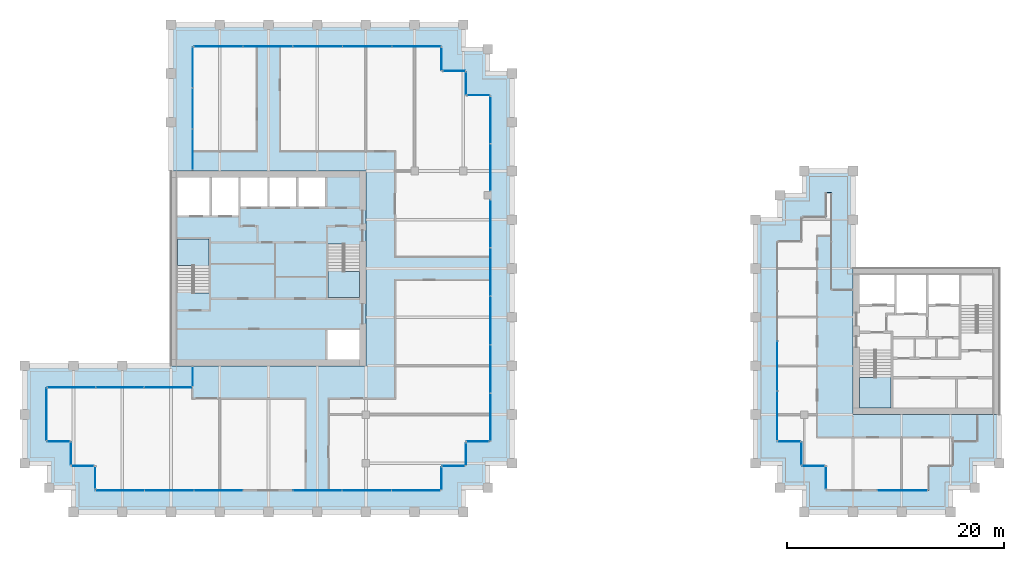
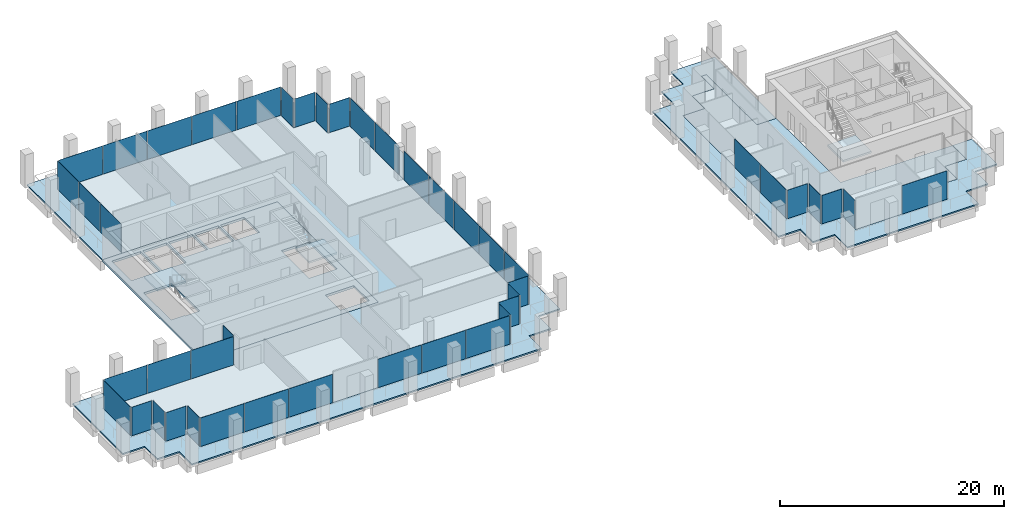
# One storey, part 34 of 40: 45 plates, 8 slabs, 30 elements without a shape of their own.
"""IFC4 building model written with IfcOpenShell, lengths in metres."""

from ifc_helpers import new_model, si_unit, direction, frame, origin, origin_2d, place, context, subcontext, project, spatial, polyline, rectangle, outline, extrude, material, layer, layer_set, type_object, element, aggregate, save


model = new_model("IFC4")

# Units and contexts
model_context = context("Model", 3, precision=1e-05, world=origin(), true_north=direction((0.0, 1.0)))
body_context = subcontext(model_context, "Body", "Model", "MODEL_VIEW")
ifc_project = project(units=[si_unit("LENGTHUNIT", "METRE"), si_unit("AREAUNIT", "SQUARE_METRE"), si_unit("VOLUMEUNIT", "CUBIC_METRE"), si_unit("PLANEANGLEUNIT", "RADIAN"), si_unit("MASSUNIT", "GRAM", prefix="KILO")], contexts=[model_context])

# Site, building, storey
site_placement = place(None, origin())
site = spatial("IfcSite", under=ifc_project, at=site_placement, CompositionType="ELEMENT")
building_placement = place(site_placement, origin())
building = spatial("IfcBuilding", under=site, at=building_placement, Name="Altepetl Exchange Towers", CompositionType="ELEMENT")
storey_placement = place(building_placement, frame((0.0, 0.0, 187.0)))
storey = spatial("IfcBuildingStorey", under=building, at=storey_placement, Name="L47", CompositionType="ELEMENT", Elevation=187.0)

# Slabs
ifc_material_1 = material(Name="Concrete C40/50", Category="concrete")
ifc_layer_1 = layer(ifc_material_1, 0.14990234375)
ifc_layer_set_1 = layer_set([ifc_layer_1], Name="Concrete C40/50")
slab_type_1 = type_object("IfcSlabType", Name="Composite floor slab 150", PredefinedType="FLOOR", material=ifc_layer_set_1)
slab_1_placement = place(storey_placement, frame((0.0, 0.0, -0.14990234375)))
element("IfcSlab", 1, at=slab_1_placement, inside=storey, type_object=slab_type_1, Name="slab:A:L47:strip0", PredefinedType="FLOOR", context=body_context, shape_type="SweptSolid", body=[
    extrude(outline(polyline([(42.5, 70.0), (42.5, 58.5), (58.5, 58.5), (58.5, 40.5), (42.5, 40.5), (42.5, 38.5), (29.0, 38.5), (29.0, 33.5), (31.25, 33.5), (31.25, 31.25), (33.5, 31.25), (33.5, 29.0), (65.5, 29.0), (65.5, 31.25), (67.75, 31.25), (67.75, 33.5), (70.0, 33.5), (70.0, 65.5), (67.75, 65.5), (67.75, 67.75), (65.5, 67.75), (65.5, 70.0), (42.5, 70.0)])), origin(), (0.0, 0.0, 1.0), 0.14990234375),
])
slab_2_placement = place(storey_placement, frame((0.0, 0.0, -0.14990234375)))
element("IfcSlab", 2, at=slab_2_placement, inside=storey, type_object=slab_type_1, Name="slab:B:L47:strip0", PredefinedType="FLOOR", context=body_context, shape_type="SweptSolid", body=[
    extrude(outline(polyline([(98.75, 31.25), (101.0, 31.25), (101.0, 29.0), (110.5, 29.0), (110.5, 31.25), (112.75, 31.25), (112.75, 33.5), (115.0, 33.5), (115.0, 36.0), (103.5, 36.0), (103.5, 47.5), (101.5, 47.5), (101.5, 56.5), (101.0, 56.5), (101.0, 54.25), (98.75, 54.25), (98.75, 52.0), (96.5, 52.0), (96.5, 33.5), (98.75, 33.5), (98.75, 31.25)])), origin(), (0.0, 0.0, 1.0), 0.14990234375),
])
ifc_layer_2 = layer(ifc_material_1, 0.25)
ifc_layer_set_2 = layer_set([ifc_layer_2], Name="Concrete C40/50")
slab_type_2 = type_object("IfcSlabType", Name="Core floor slab 250", PredefinedType="FLOOR", material=ifc_layer_set_2)
slab_3_placement = place(storey_placement, frame((0.0, 0.0, -0.25)))
element("IfcSlab", 3, at=slab_3_placement, inside=storey, type_object=slab_type_2, Name="slab:A:L47:core0", PredefinedType="FLOOR", context=body_context, shape_type="SweptSolid", body=[
    extrude(outline(polyline([(40.5, 40.5), (58.5, 40.5), (58.5, 58.5), (40.5, 58.5), (40.5, 40.5)]), holes=[polyline([(54.93310546875, 43.800048828125), (57.89990234375, 43.800048828125), (57.89990234375, 41.10009765625), (54.93310546875, 41.10009765625), (54.93310546875, 43.800048828125)]), polyline([(55.0, 51.7490234375), (56.5, 51.7490234375), (56.5, 51.64990234375), (57.89990234375, 51.64990234375), (57.89990234375, 46.800048828125), (55.0, 46.800048828125), (55.0, 51.7490234375)]), polyline([(44.0, 47.2509765625), (42.5, 47.2509765625), (42.5, 47.35009765625), (41.10009765625, 47.35009765625), (41.10009765625, 52.199951171875), (44.0, 52.199951171875), (44.0, 47.2509765625)]), polyline([(41.10009765625, 57.89990234375), (44.06689453125, 57.89990234375), (44.06689453125, 54.39990234375), (41.10009765625, 54.39990234375), (41.10009765625, 57.89990234375)]), polyline([(44.26708984375, 57.89990234375), (46.73291015625, 57.89990234375), (46.73291015625, 54.39990234375), (44.26708984375, 54.39990234375), (44.26708984375, 57.89990234375)]), polyline([(46.93310546875, 57.89990234375), (49.39990234375, 57.89990234375), (49.39990234375, 55.199951171875), (46.93310546875, 55.199951171875), (46.93310546875, 57.89990234375)]), polyline([(49.60009765625, 57.89990234375), (52.06689453125, 57.89990234375), (52.06689453125, 55.199951171875), (49.60009765625, 55.199951171875), (49.60009765625, 57.89990234375)]), polyline([(52.26708984375, 57.89990234375), (54.73291015625, 57.89990234375), (54.73291015625, 55.199951171875), (52.26708984375, 55.199951171875), (52.26708984375, 57.89990234375)])]), origin(), (0.0, 0.0, 1.0), 0.25),
])

# Curtain wall, plate
ifc_material_2 = material(Name="Aluminium 6063-T6 glazing", Category="aluminium")
curtain_wall_type = type_object("IfcCurtainWallType", Name="Loggia glazing system", PredefinedType="NOTDEFINED", material=ifc_material_2)
curtain_wall_1_placement = place(storey_placement, origin())
curtain_wall_1 = element("IfcCurtainWall", 4, at=curtain_wall_1_placement, inside=storey, type_object=curtain_wall_type, Name="CW1 run", PredefinedType="NOTDEFINED")
ifc_material_3 = material(Name="Glass 6-16-6 low emissivity", Category="glass")
ifc_layer_3 = layer(ifc_material_3, 0.028076171875)
ifc_layer_set_3 = layer_set([ifc_layer_3], Name="Glass 6-16-6 low emissivity")
plate_type = type_object("IfcPlateType", Name="Glass panel 28 double glazed", PredefinedType="CURTAIN_PANEL", material=ifc_layer_set_3)
plate_1_placement = place(storey_placement, frame((42.5, 39.53759765625, 0.0), z_axis=(0.0, 0.0, 1.0), x_axis=(0.0, -1.0, 0.0)))
plate_1 = element("IfcPlate", 5, at=plate_1_placement, type_object=plate_type, Name="GP1 panel", PredefinedType="CURTAIN_PANEL", context=body_context, shape_type="SweptSolid", body=[
    extrude(rectangle(XDim=1.804931640625, YDim=0.028076171875, at=origin_2d()), origin(), (0.0, 0.0, 1.0), 3.10009765625),
])
aggregate(curtain_wall_1, [plate_1])

# Curtain wall, plates
curtain_wall_2_placement = place(storey_placement, origin())
curtain_wall_2 = element("IfcCurtainWall", 6, at=curtain_wall_2_placement, inside=storey, type_object=curtain_wall_type, Name="CW1 run", PredefinedType="NOTDEFINED")
plate_2_placement = place(storey_placement, frame((40.24755859375, 38.5, 0.0), z_axis=(0.0, 0.0, 1.0), x_axis=(-1.0, 0.0, 0.0)))
plate_2 = element("IfcPlate", 7, at=plate_2_placement, type_object=plate_type, Name="GP1 panel", PredefinedType="CURTAIN_PANEL", context=body_context, shape_type="SweptSolid", body=[
    extrude(rectangle(XDim=4.385009765625, YDim=0.028076171875, at=origin_2d()), origin(), (0.0, 0.0, 1.0), 3.10009765625),
])
plate_3_placement = place(storey_placement, frame((35.78759765625, 38.5, 0.0), z_axis=(0.0, 0.0, 1.0), x_axis=(-1.0, 0.0, 0.0)))
plate_3 = element("IfcPlate", 8, at=plate_3_placement, type_object=plate_type, Name="GP1 panel", PredefinedType="CURTAIN_PANEL", context=body_context, shape_type="SweptSolid", body=[
    extrude(rectangle(XDim=4.4150390625, YDim=0.028076171875, at=origin_2d()), origin(), (0.0, 0.0, 1.0), 3.10009765625),
])
plate_4_placement = place(storey_placement, frame((31.327392578125, 38.5, 0.0), z_axis=(0.0, 0.0, 1.0), x_axis=(-1.0, 0.0, 0.0)))
plate_4 = element("IfcPlate", 9, at=plate_4_placement, type_object=plate_type, Name="GP1 panel", PredefinedType="CURTAIN_PANEL", context=body_context, shape_type="SweptSolid", body=[
    extrude(rectangle(XDim=4.385009765625, YDim=0.028076171875, at=origin_2d()), origin(), (0.0, 0.0, 1.0), 3.10009765625),
])
aggregate(curtain_wall_2, [plate_2, plate_3, plate_4])

# Curtain wall, plate
curtain_wall_3_placement = place(storey_placement, origin())
curtain_wall_3 = element("IfcCurtainWall", 10, at=curtain_wall_3_placement, inside=storey, type_object=curtain_wall_type, Name="CW1 run", PredefinedType="NOTDEFINED")
plate_5_placement = place(storey_placement, frame((29.0, 36.03759765625, 0.0), z_axis=(0.0, 0.0, 1.0), x_axis=(0.0, -1.0, 0.0)))
plate_5 = element("IfcPlate", 11, at=plate_5_placement, type_object=plate_type, Name="GP1 panel", PredefinedType="CURTAIN_PANEL", context=body_context, shape_type="SweptSolid", body=[
    extrude(rectangle(XDim=4.804931640625, YDim=0.028076171875, at=origin_2d()), origin(), (0.0, 0.0, 1.0), 3.10009765625),
])
aggregate(curtain_wall_3, [plate_5])

curtain_wall_4_placement = place(storey_placement, origin())
curtain_wall_4 = element("IfcCurtainWall", 12, at=curtain_wall_4_placement, inside=storey, type_object=curtain_wall_type, Name="CW1 run", PredefinedType="NOTDEFINED")
plate_6_placement = place(storey_placement, frame((30.08740234375, 33.5, 0.0)))
plate_6 = element("IfcPlate", 13, at=plate_6_placement, type_object=plate_type, Name="GP1 panel", PredefinedType="CURTAIN_PANEL", context=body_context, shape_type="SweptSolid", body=[
    extrude(rectangle(XDim=2.054931640625, YDim=0.028076171875, at=origin_2d()), origin(), (0.0, 0.0, 1.0), 3.10009765625),
])
aggregate(curtain_wall_4, [plate_6])

curtain_wall_5_placement = place(storey_placement, origin())
curtain_wall_5 = element("IfcCurtainWall", 14, at=curtain_wall_5_placement, inside=storey, type_object=curtain_wall_type, Name="CW1 run", PredefinedType="NOTDEFINED")
plate_7_placement = place(storey_placement, frame((31.25, 32.41259765625, 0.0), z_axis=(0.0, 0.0, 1.0), x_axis=(0.0, -1.0, 0.0)))
plate_7 = element("IfcPlate", 15, at=plate_7_placement, type_object=plate_type, Name="GP1 panel", PredefinedType="CURTAIN_PANEL", context=body_context, shape_type="SweptSolid", body=[
    extrude(rectangle(XDim=2.054931640625, YDim=0.028076171875, at=origin_2d()), origin(), (0.0, 0.0, 1.0), 3.10009765625),
])
aggregate(curtain_wall_5, [plate_7])

curtain_wall_6_placement = place(storey_placement, origin())
curtain_wall_6 = element("IfcCurtainWall", 16, at=curtain_wall_6_placement, inside=storey, type_object=curtain_wall_type, Name="CW1 run", PredefinedType="NOTDEFINED")
plate_8_placement = place(storey_placement, frame((32.33740234375, 31.25, 0.0)))
plate_8 = element("IfcPlate", 17, at=plate_8_placement, type_object=plate_type, Name="GP1 panel", PredefinedType="CURTAIN_PANEL", context=body_context, shape_type="SweptSolid", body=[
    extrude(rectangle(XDim=2.054931640625, YDim=0.028076171875, at=origin_2d()), origin(), (0.0, 0.0, 1.0), 3.10009765625),
])
aggregate(curtain_wall_6, [plate_8])

curtain_wall_7_placement = place(storey_placement, origin())
curtain_wall_7 = element("IfcCurtainWall", 18, at=curtain_wall_7_placement, inside=storey, type_object=curtain_wall_type, Name="CW1 run", PredefinedType="NOTDEFINED")
plate_9_placement = place(storey_placement, frame((33.5, 30.16259765625, 0.0), z_axis=(0.0, 0.0, 1.0), x_axis=(0.0, -1.0, 0.0)))
plate_9 = element("IfcPlate", 19, at=plate_9_placement, type_object=plate_type, Name="GP1 panel", PredefinedType="CURTAIN_PANEL", context=body_context, shape_type="SweptSolid", body=[
    extrude(rectangle(XDim=2.054931640625, YDim=0.028076171875, at=origin_2d()), origin(), (0.0, 0.0, 1.0), 3.10009765625),
])
aggregate(curtain_wall_7, [plate_9])

# Curtain wall, plates
curtain_wall_8_placement = place(storey_placement, origin())
curtain_wall_8 = element("IfcCurtainWall", 20, at=curtain_wall_8_placement, inside=storey, type_object=curtain_wall_type, Name="CW1 run", PredefinedType="NOTDEFINED")
plate_10_placement = place(storey_placement, frame((35.79541015625, 29.0, 0.0)))
plate_10 = element("IfcPlate", 21, at=plate_10_placement, type_object=plate_type, Name="GP1 panel", PredefinedType="CURTAIN_PANEL", context=body_context, shape_type="SweptSolid", body=[
    extrude(rectangle(XDim=4.470703125, YDim=0.028076171875, at=origin_2d()), origin(), (0.0, 0.0, 1.0), 3.10009765625),
])
plate_11_placement = place(storey_placement, frame((40.341064453125, 29.0, 0.0)))
plate_11 = element("IfcPlate", 22, at=plate_11_placement, type_object=plate_type, Name="GP1 panel", PredefinedType="CURTAIN_PANEL", context=body_context, shape_type="SweptSolid", body=[
    extrude(rectangle(XDim=4.500732421875, YDim=0.028076171875, at=origin_2d()), origin(), (0.0, 0.0, 1.0), 3.10009765625),
])
plate_12_placement = place(storey_placement, frame((44.88671875, 29.0, 0.0)))
plate_12 = element("IfcPlate", 23, at=plate_12_placement, type_object=plate_type, Name="GP1 panel", PredefinedType="CURTAIN_PANEL", context=body_context, shape_type="SweptSolid", body=[
    extrude(rectangle(XDim=4.470703125, YDim=0.028076171875, at=origin_2d()), origin(), (0.0, 0.0, 1.0), 3.10009765625),
])
aggregate(curtain_wall_8, [plate_10, plate_11, plate_12])

curtain_wall_9_placement = place(storey_placement, origin())
curtain_wall_9 = element("IfcCurtainWall", 24, at=curtain_wall_9_placement, inside=storey, type_object=curtain_wall_type, Name="CW1 run", PredefinedType="NOTDEFINED")
plate_13_placement = place(storey_placement, frame((54.038330078125, 29.0, 0.0)))
plate_13 = element("IfcPlate", 25, at=plate_13_placement, type_object=plate_type, Name="GP1 panel", PredefinedType="CURTAIN_PANEL", context=body_context, shape_type="SweptSolid", body=[
    extrude(rectangle(XDim=4.470703125, YDim=0.028076171875, at=origin_2d()), origin(), (0.0, 0.0, 1.0), 3.10009765625),
])
plate_14_placement = place(storey_placement, frame((58.583984375, 29.0, 0.0)))
plate_14 = element("IfcPlate", 26, at=plate_14_placement, type_object=plate_type, Name="GP1 panel", PredefinedType="CURTAIN_PANEL", context=body_context, shape_type="SweptSolid", body=[
    extrude(rectangle(XDim=4.500732421875, YDim=0.028076171875, at=origin_2d()), origin(), (0.0, 0.0, 1.0), 3.10009765625),
])
plate_15_placement = place(storey_placement, frame((63.129638671875, 29.0, 0.0)))
plate_15 = element("IfcPlate", 27, at=plate_15_placement, type_object=plate_type, Name="GP1 panel", PredefinedType="CURTAIN_PANEL", context=body_context, shape_type="SweptSolid", body=[
    extrude(rectangle(XDim=4.470703125, YDim=0.028076171875, at=origin_2d()), origin(), (0.0, 0.0, 1.0), 3.10009765625),
])
aggregate(curtain_wall_9, [plate_13, plate_14, plate_15])

# Curtain wall, plate
curtain_wall_10_placement = place(storey_placement, origin())
curtain_wall_10 = element("IfcCurtainWall", 28, at=curtain_wall_10_placement, inside=storey, type_object=curtain_wall_type, Name="CW1 run", PredefinedType="NOTDEFINED")
plate_16_placement = place(storey_placement, frame((65.5, 30.08740234375, 0.0), z_axis=(0.0, 0.0, 1.0), x_axis=(0.0, 1.0, 0.0)))
plate_16 = element("IfcPlate", 29, at=plate_16_placement, type_object=plate_type, Name="GP1 panel", PredefinedType="CURTAIN_PANEL", context=body_context, shape_type="SweptSolid", body=[
    extrude(rectangle(XDim=2.054931640625, YDim=0.028076171875, at=origin_2d()), origin(), (0.0, 0.0, 1.0), 3.10009765625),
])
aggregate(curtain_wall_10, [plate_16])

curtain_wall_11_placement = place(storey_placement, origin())
curtain_wall_11 = element("IfcCurtainWall", 30, at=curtain_wall_11_placement, inside=storey, type_object=curtain_wall_type, Name="CW1 run", PredefinedType="NOTDEFINED")
plate_17_placement = place(storey_placement, frame((66.58740234375, 31.25, 0.0)))
plate_17 = element("IfcPlate", 31, at=plate_17_placement, type_object=plate_type, Name="GP1 panel", PredefinedType="CURTAIN_PANEL", context=body_context, shape_type="SweptSolid", body=[
    extrude(rectangle(XDim=2.054931640625, YDim=0.028076171875, at=origin_2d()), origin(), (0.0, 0.0, 1.0), 3.10009765625),
])
aggregate(curtain_wall_11, [plate_17])

curtain_wall_12_placement = place(storey_placement, origin())
curtain_wall_12 = element("IfcCurtainWall", 32, at=curtain_wall_12_placement, inside=storey, type_object=curtain_wall_type, Name="CW1 run", PredefinedType="NOTDEFINED")
plate_18_placement = place(storey_placement, frame((67.75, 32.33740234375, 0.0), z_axis=(0.0, 0.0, 1.0), x_axis=(0.0, 1.0, 0.0)))
plate_18 = element("IfcPlate", 33, at=plate_18_placement, type_object=plate_type, Name="GP1 panel", PredefinedType="CURTAIN_PANEL", context=body_context, shape_type="SweptSolid", body=[
    extrude(rectangle(XDim=2.054931640625, YDim=0.028076171875, at=origin_2d()), origin(), (0.0, 0.0, 1.0), 3.10009765625),
])
aggregate(curtain_wall_12, [plate_18])

curtain_wall_13_placement = place(storey_placement, origin())
curtain_wall_13 = element("IfcCurtainWall", 34, at=curtain_wall_13_placement, inside=storey, type_object=curtain_wall_type, Name="CW1 run", PredefinedType="NOTDEFINED")
plate_19_placement = place(storey_placement, frame((68.83740234375, 33.5, 0.0)))
plate_19 = element("IfcPlate", 35, at=plate_19_placement, type_object=plate_type, Name="GP1 panel", PredefinedType="CURTAIN_PANEL", context=body_context, shape_type="SweptSolid", body=[
    extrude(rectangle(XDim=2.054931640625, YDim=0.028076171875, at=origin_2d()), origin(), (0.0, 0.0, 1.0), 3.10009765625),
])
aggregate(curtain_wall_13, [plate_19])

# Curtain wall, plates
curtain_wall_14_placement = place(storey_placement, origin())
curtain_wall_14 = element("IfcCurtainWall", 36, at=curtain_wall_14_placement, inside=storey, type_object=curtain_wall_type, Name="CW1 run", PredefinedType="NOTDEFINED")
plate_20_placement = place(storey_placement, frame((70.0, 35.7529296875, 0.0), z_axis=(0.0, 0.0, 1.0), x_axis=(0.0, 1.0, 0.0)))
plate_20 = element("IfcPlate", 37, at=plate_20_placement, type_object=plate_type, Name="GP1 panel", PredefinedType="CURTAIN_PANEL", context=body_context, shape_type="SweptSolid", body=[
    extrude(rectangle(XDim=4.385986328125, YDim=0.028076171875, at=origin_2d()), origin(), (0.0, 0.0, 1.0), 3.10009765625),
])
plate_21_placement = place(storey_placement, frame((70.0, 40.214111328125, 0.0), z_axis=(0.0, 0.0, 1.0), x_axis=(0.0, 1.0, 0.0)))
plate_21 = element("IfcPlate", 38, at=plate_21_placement, type_object=plate_type, Name="GP1 panel", PredefinedType="CURTAIN_PANEL", context=body_context, shape_type="SweptSolid", body=[
    extrude(rectangle(XDim=4.416015625, YDim=0.028076171875, at=origin_2d()), origin(), (0.0, 0.0, 1.0), 3.10009765625),
])
plate_22_placement = place(storey_placement, frame((70.0, 44.68994140625, 0.0), z_axis=(0.0, 0.0, 1.0), x_axis=(0.0, 1.0, 0.0)))
plate_22 = element("IfcPlate", 39, at=plate_22_placement, type_object=plate_type, Name="GP1 panel", PredefinedType="CURTAIN_PANEL", context=body_context, shape_type="SweptSolid", body=[
    extrude(rectangle(XDim=4.416015625, YDim=0.028076171875, at=origin_2d()), origin(), (0.0, 0.0, 1.0), 3.10009765625),
])
plate_23_placement = place(storey_placement, frame((70.0, 49.166015625, 0.0), z_axis=(0.0, 0.0, 1.0), x_axis=(0.0, 1.0, 0.0)))
plate_23 = element("IfcPlate", 40, at=plate_23_placement, type_object=plate_type, Name="GP1 panel", PredefinedType="CURTAIN_PANEL", context=body_context, shape_type="SweptSolid", body=[
    extrude(rectangle(XDim=4.416015625, YDim=0.028076171875, at=origin_2d()), origin(), (0.0, 0.0, 1.0), 3.10009765625),
])
plate_24_placement = place(storey_placement, frame((70.0, 53.626953125, 0.0), z_axis=(0.0, 0.0, 1.0), x_axis=(0.0, 1.0, 0.0)))
plate_24 = element("IfcPlate", 41, at=plate_24_placement, type_object=plate_type, Name="GP1 panel", PredefinedType="CURTAIN_PANEL", context=body_context, shape_type="SweptSolid", body=[
    extrude(rectangle(XDim=4.385986328125, YDim=0.028076171875, at=origin_2d()), origin(), (0.0, 0.0, 1.0), 3.10009765625),
])
aggregate(curtain_wall_14, [plate_20, plate_21, plate_22, plate_23, plate_24])

curtain_wall_15_placement = place(storey_placement, origin())
curtain_wall_15 = element("IfcCurtainWall", 42, at=curtain_wall_15_placement, inside=storey, type_object=curtain_wall_type, Name="CW1 run", PredefinedType="NOTDEFINED")
plate_25_placement = place(storey_placement, frame((70.0, 58.836181640625, 0.0), z_axis=(0.0, 0.0, 1.0), x_axis=(0.0, 1.0, 0.0)))
plate_25 = element("IfcPlate", 43, at=plate_25_placement, type_object=plate_type, Name="GP1 panel", PredefinedType="CURTAIN_PANEL", context=body_context, shape_type="SweptSolid", body=[
    extrude(rectangle(XDim=4.3125, YDim=0.028076171875, at=origin_2d()), origin(), (0.0, 0.0, 1.0), 3.10009765625),
])
plate_26_placement = place(storey_placement, frame((70.0, 63.208740234375, 0.0), z_axis=(0.0, 0.0, 1.0), x_axis=(0.0, 1.0, 0.0)))
plate_26 = element("IfcPlate", 44, at=plate_26_placement, type_object=plate_type, Name="GP1 panel", PredefinedType="CURTAIN_PANEL", context=body_context, shape_type="SweptSolid", body=[
    extrude(rectangle(XDim=4.3125, YDim=0.028076171875, at=origin_2d()), origin(), (0.0, 0.0, 1.0), 3.10009765625),
])
aggregate(curtain_wall_15, [plate_25, plate_26])

# Curtain wall, plate
curtain_wall_16_placement = place(storey_placement, origin())
curtain_wall_16 = element("IfcCurtainWall", 45, at=curtain_wall_16_placement, inside=storey, type_object=curtain_wall_type, Name="CW1 run", PredefinedType="NOTDEFINED")
plate_27_placement = place(storey_placement, frame((68.91259765625, 65.5, 0.0), z_axis=(0.0, 0.0, 1.0), x_axis=(-1.0, 0.0, 0.0)))
plate_27 = element("IfcPlate", 46, at=plate_27_placement, type_object=plate_type, Name="GP1 panel", PredefinedType="CURTAIN_PANEL", context=body_context, shape_type="SweptSolid", body=[
    extrude(rectangle(XDim=2.054931640625, YDim=0.028076171875, at=origin_2d()), origin(), (0.0, 0.0, 1.0), 3.10009765625),
])
aggregate(curtain_wall_16, [plate_27])

curtain_wall_17_placement = place(storey_placement, origin())
curtain_wall_17 = element("IfcCurtainWall", 47, at=curtain_wall_17_placement, inside=storey, type_object=curtain_wall_type, Name="CW1 run", PredefinedType="NOTDEFINED")
plate_28_placement = place(storey_placement, frame((67.75, 66.58740234375, 0.0), z_axis=(0.0, 0.0, 1.0), x_axis=(0.0, 1.0, 0.0)))
plate_28 = element("IfcPlate", 48, at=plate_28_placement, type_object=plate_type, Name="GP1 panel", PredefinedType="CURTAIN_PANEL", context=body_context, shape_type="SweptSolid", body=[
    extrude(rectangle(XDim=2.054931640625, YDim=0.028076171875, at=origin_2d()), origin(), (0.0, 0.0, 1.0), 3.10009765625),
])
aggregate(curtain_wall_17, [plate_28])

curtain_wall_18_placement = place(storey_placement, origin())
curtain_wall_18 = element("IfcCurtainWall", 49, at=curtain_wall_18_placement, inside=storey, type_object=curtain_wall_type, Name="CW1 run", PredefinedType="NOTDEFINED")
plate_29_placement = place(storey_placement, frame((66.66259765625, 67.75, 0.0), z_axis=(0.0, 0.0, 1.0), x_axis=(-1.0, 0.0, 0.0)))
plate_29 = element("IfcPlate", 50, at=plate_29_placement, type_object=plate_type, Name="GP1 panel", PredefinedType="CURTAIN_PANEL", context=body_context, shape_type="SweptSolid", body=[
    extrude(rectangle(XDim=2.054931640625, YDim=0.028076171875, at=origin_2d()), origin(), (0.0, 0.0, 1.0), 3.10009765625),
])
aggregate(curtain_wall_18, [plate_29])

curtain_wall_19_placement = place(storey_placement, origin())
curtain_wall_19 = element("IfcCurtainWall", 51, at=curtain_wall_19_placement, inside=storey, type_object=curtain_wall_type, Name="CW1 run", PredefinedType="NOTDEFINED")
plate_30_placement = place(storey_placement, frame((65.5, 68.83740234375, 0.0), z_axis=(0.0, 0.0, 1.0), x_axis=(0.0, 1.0, 0.0)))
plate_30 = element("IfcPlate", 52, at=plate_30_placement, type_object=plate_type, Name="GP1 panel", PredefinedType="CURTAIN_PANEL", context=body_context, shape_type="SweptSolid", body=[
    extrude(rectangle(XDim=2.054931640625, YDim=0.028076171875, at=origin_2d()), origin(), (0.0, 0.0, 1.0), 3.10009765625),
])
aggregate(curtain_wall_19, [plate_30])

# Curtain wall, plates
curtain_wall_20_placement = place(storey_placement, origin())
curtain_wall_20 = element("IfcCurtainWall", 53, at=curtain_wall_20_placement, inside=storey, type_object=curtain_wall_type, Name="CW1 run", PredefinedType="NOTDEFINED")
plate_31_placement = place(storey_placement, frame((63.1923828125, 70.0, 0.0), z_axis=(0.0, 0.0, 1.0), x_axis=(-1.0, 0.0, 0.0)))
plate_31 = element("IfcPlate", 54, at=plate_31_placement, type_object=plate_type, Name="GP1 panel", PredefinedType="CURTAIN_PANEL", context=body_context, shape_type="SweptSolid", body=[
    extrude(rectangle(XDim=4.4951171875, YDim=0.028076171875, at=origin_2d()), origin(), (0.0, 0.0, 1.0), 3.10009765625),
])
plate_32_placement = place(storey_placement, frame((58.62255859375, 70.0, 0.0), z_axis=(0.0, 0.0, 1.0), x_axis=(-1.0, 0.0, 0.0)))
plate_32 = element("IfcPlate", 55, at=plate_32_placement, type_object=plate_type, Name="GP1 panel", PredefinedType="CURTAIN_PANEL", context=body_context, shape_type="SweptSolid", body=[
    extrude(rectangle(XDim=4.52490234375, YDim=0.028076171875, at=origin_2d()), origin(), (0.0, 0.0, 1.0), 3.10009765625),
])
plate_33_placement = place(storey_placement, frame((54.03759765625, 70.0, 0.0), z_axis=(0.0, 0.0, 1.0), x_axis=(-1.0, 0.0, 0.0)))
plate_33 = element("IfcPlate", 56, at=plate_33_placement, type_object=plate_type, Name="GP1 panel", PredefinedType="CURTAIN_PANEL", context=body_context, shape_type="SweptSolid", body=[
    extrude(rectangle(XDim=4.52490234375, YDim=0.028076171875, at=origin_2d()), origin(), (0.0, 0.0, 1.0), 3.10009765625),
])
plate_34_placement = place(storey_placement, frame((49.452392578125, 70.0, 0.0), z_axis=(0.0, 0.0, 1.0), x_axis=(-1.0, 0.0, 0.0)))
plate_34 = element("IfcPlate", 57, at=plate_34_placement, type_object=plate_type, Name="GP1 panel", PredefinedType="CURTAIN_PANEL", context=body_context, shape_type="SweptSolid", body=[
    extrude(rectangle(XDim=4.52490234375, YDim=0.028076171875, at=origin_2d()), origin(), (0.0, 0.0, 1.0), 3.10009765625),
])
plate_35_placement = place(storey_placement, frame((44.882568359375, 70.0, 0.0), z_axis=(0.0, 0.0, 1.0), x_axis=(-1.0, 0.0, 0.0)))
plate_35 = element("IfcPlate", 58, at=plate_35_placement, type_object=plate_type, Name="GP1 panel", PredefinedType="CURTAIN_PANEL", context=body_context, shape_type="SweptSolid", body=[
    extrude(rectangle(XDim=4.4951171875, YDim=0.028076171875, at=origin_2d()), origin(), (0.0, 0.0, 1.0), 3.10009765625),
])
aggregate(curtain_wall_20, [plate_31, plate_32, plate_33, plate_34, plate_35])

curtain_wall_21_placement = place(storey_placement, origin())
curtain_wall_21 = element("IfcCurtainWall", 59, at=curtain_wall_21_placement, inside=storey, type_object=curtain_wall_type, Name="CW1 run", PredefinedType="NOTDEFINED")
plate_36_placement = place(storey_placement, frame((42.5, 68.080810546875, 0.0), z_axis=(0.0, 0.0, 1.0), x_axis=(0.0, -1.0, 0.0)))
plate_36 = element("IfcPlate", 60, at=plate_36_placement, type_object=plate_type, Name="GP1 panel", PredefinedType="CURTAIN_PANEL", context=body_context, shape_type="SweptSolid", body=[
    extrude(rectangle(XDim=3.71826171875, YDim=0.028076171875, at=origin_2d()), origin(), (0.0, 0.0, 1.0), 3.10009765625),
])
plate_37_placement = place(storey_placement, frame((42.5, 64.28759765625, 0.0), z_axis=(0.0, 0.0, 1.0), x_axis=(0.0, -1.0, 0.0)))
plate_37 = element("IfcPlate", 61, at=plate_37_placement, type_object=plate_type, Name="GP1 panel", PredefinedType="CURTAIN_PANEL", context=body_context, shape_type="SweptSolid", body=[
    extrude(rectangle(XDim=3.748291015625, YDim=0.028076171875, at=origin_2d()), origin(), (0.0, 0.0, 1.0), 3.10009765625),
])
plate_38_placement = place(storey_placement, frame((42.5, 60.494140625, 0.0), z_axis=(0.0, 0.0, 1.0), x_axis=(0.0, -1.0, 0.0)))
plate_38 = element("IfcPlate", 62, at=plate_38_placement, type_object=plate_type, Name="GP1 panel", PredefinedType="CURTAIN_PANEL", context=body_context, shape_type="SweptSolid", body=[
    extrude(rectangle(XDim=3.71826171875, YDim=0.028076171875, at=origin_2d()), origin(), (0.0, 0.0, 1.0), 3.10009765625),
])
aggregate(curtain_wall_21, [plate_36, plate_37, plate_38])

# Curtain wall, plate
curtain_wall_22_placement = place(storey_placement, origin())
curtain_wall_22 = element("IfcCurtainWall", 63, at=curtain_wall_22_placement, inside=storey, type_object=curtain_wall_type, Name="CW1 run", PredefinedType="NOTDEFINED")
plate_39_placement = place(storey_placement, frame((101.0, 30.16259765625, 0.0), z_axis=(0.0, 0.0, 1.0), x_axis=(0.0, -1.0, 0.0)))
plate_39 = element("IfcPlate", 64, at=plate_39_placement, type_object=plate_type, Name="GP1 panel", PredefinedType="CURTAIN_PANEL", context=body_context, shape_type="SweptSolid", body=[
    extrude(rectangle(XDim=2.054931640625, YDim=0.028076171875, at=origin_2d()), origin(), (0.0, 0.0, 1.0), 3.10009765625),
])
aggregate(curtain_wall_22, [plate_39])

curtain_wall_23_placement = place(storey_placement, origin())
curtain_wall_23 = element("IfcCurtainWall", 65, at=curtain_wall_23_placement, inside=storey, type_object=curtain_wall_type, Name="CW1 run", PredefinedType="NOTDEFINED")
plate_40_placement = place(storey_placement, frame((108.06884765625, 29.0, 0.0)))
plate_40 = element("IfcPlate", 66, at=plate_40_placement, type_object=plate_type, Name="GP1 panel", PredefinedType="CURTAIN_PANEL", context=body_context, shape_type="SweptSolid", body=[
    extrude(rectangle(XDim=4.592529296875, YDim=0.028076171875, at=origin_2d()), origin(), (0.0, 0.0, 1.0), 3.10009765625),
])
aggregate(curtain_wall_23, [plate_40])

# Curtain wall, plates
curtain_wall_24_placement = place(storey_placement, origin())
curtain_wall_24 = element("IfcCurtainWall", 67, at=curtain_wall_24_placement, inside=storey, type_object=curtain_wall_type, Name="CW1 run", PredefinedType="NOTDEFINED")
plate_41_placement = place(storey_placement, frame((96.5, 40.484375, 0.0), z_axis=(0.0, 0.0, 1.0), x_axis=(0.0, -1.0, 0.0)))
plate_41 = element("IfcPlate", 68, at=plate_41_placement, type_object=plate_type, Name="GP1 panel", PredefinedType="CURTAIN_PANEL", context=body_context, shape_type="SweptSolid", body=[
    extrude(rectangle(XDim=4.546142578125, YDim=0.028076171875, at=origin_2d()), origin(), (0.0, 0.0, 1.0), 3.10009765625),
])
plate_42_placement = place(storey_placement, frame((96.5, 35.89306640625, 0.0), z_axis=(0.0, 0.0, 1.0), x_axis=(0.0, -1.0, 0.0)))
plate_42 = element("IfcPlate", 69, at=plate_42_placement, type_object=plate_type, Name="GP1 panel", PredefinedType="CURTAIN_PANEL", context=body_context, shape_type="SweptSolid", body=[
    extrude(rectangle(XDim=4.516357421875, YDim=0.028076171875, at=origin_2d()), origin(), (0.0, 0.0, 1.0), 3.10009765625),
])
aggregate(curtain_wall_24, [plate_41, plate_42])

# Curtain wall, plate
curtain_wall_25_placement = place(storey_placement, origin())
curtain_wall_25 = element("IfcCurtainWall", 70, at=curtain_wall_25_placement, inside=storey, type_object=curtain_wall_type, Name="CW1 run", PredefinedType="NOTDEFINED")
plate_43_placement = place(storey_placement, frame((97.58740234375, 33.5, 0.0)))
plate_43 = element("IfcPlate", 71, at=plate_43_placement, type_object=plate_type, Name="GP1 panel", PredefinedType="CURTAIN_PANEL", context=body_context, shape_type="SweptSolid", body=[
    extrude(rectangle(XDim=2.054931640625, YDim=0.028076171875, at=origin_2d()), origin(), (0.0, 0.0, 1.0), 3.10009765625),
])
aggregate(curtain_wall_25, [plate_43])

curtain_wall_26_placement = place(storey_placement, origin())
curtain_wall_26 = element("IfcCurtainWall", 72, at=curtain_wall_26_placement, inside=storey, type_object=curtain_wall_type, Name="CW1 run", PredefinedType="NOTDEFINED")
plate_44_placement = place(storey_placement, frame((98.75, 32.41259765625, 0.0), z_axis=(0.0, 0.0, 1.0), x_axis=(0.0, -1.0, 0.0)))
plate_44 = element("IfcPlate", 73, at=plate_44_placement, type_object=plate_type, Name="GP1 panel", PredefinedType="CURTAIN_PANEL", context=body_context, shape_type="SweptSolid", body=[
    extrude(rectangle(XDim=2.054931640625, YDim=0.028076171875, at=origin_2d()), origin(), (0.0, 0.0, 1.0), 3.10009765625),
])
aggregate(curtain_wall_26, [plate_44])

curtain_wall_27_placement = place(storey_placement, origin())
curtain_wall_27 = element("IfcCurtainWall", 74, at=curtain_wall_27_placement, inside=storey, type_object=curtain_wall_type, Name="CW1 run", PredefinedType="NOTDEFINED")
plate_45_placement = place(storey_placement, frame((99.83740234375, 31.25, 0.0)))
plate_45 = element("IfcPlate", 75, at=plate_45_placement, type_object=plate_type, Name="GP1 panel", PredefinedType="CURTAIN_PANEL", context=body_context, shape_type="SweptSolid", body=[
    extrude(rectangle(XDim=2.054931640625, YDim=0.028076171875, at=origin_2d()), origin(), (0.0, 0.0, 1.0), 3.10009765625),
])
aggregate(curtain_wall_27, [plate_45])

# Slabs
ifc_layer_4 = layer(ifc_material_1, 0.14990234375)
ifc_layer_set_4 = layer_set([ifc_layer_4], Name="Concrete C40/50")
slab_type_3 = type_object("IfcSlabType", Name="Loggia slab 150", PredefinedType="FLOOR", material=ifc_layer_set_4)
slab_4_placement = place(storey_placement, frame((0.0, 0.0, -0.14990234375)))
element("IfcSlab", 76, at=slab_4_placement, inside=storey, type_object=slab_type_3, Name="slab:A:L47:loggia0", PredefinedType="FLOOR", context=body_context, shape_type="SweptSolid", body=[
    extrude(outline(polyline([(40.5, 72.0), (40.5, 58.5), (42.5, 58.5), (42.5, 70.0), (65.5, 70.0), (65.5, 67.75), (67.75, 67.75), (67.75, 65.5), (70.0, 65.5), (70.0, 33.5), (67.75, 33.5), (67.75, 31.25), (65.5, 31.25), (65.5, 29.0), (33.5, 29.0), (33.5, 31.25), (31.25, 31.25), (31.25, 33.5), (29.0, 33.5), (29.0, 38.5), (42.5, 38.5), (42.5, 40.5), (40.5, 40.5), (27.0, 40.5), (27.0, 31.5), (29.25, 31.5), (29.25, 29.25), (31.5, 29.25), (31.5, 27.0), (58.5, 27.0), (67.5, 27.0), (67.5, 29.25), (69.75, 29.25), (69.75, 31.5), (72.0, 31.5), (72.0, 58.5), (72.0, 67.5), (69.75, 67.5), (69.75, 69.75), (67.5, 69.75), (67.5, 72.0), (40.5, 72.0)])), origin(), (0.0, 0.0, 1.0), 0.14990234375),
])
slab_5_placement = place(storey_placement, frame((0.0, 0.0, -0.14990234375)))
element("IfcSlab", 77, at=slab_5_placement, inside=storey, type_object=slab_type_3, Name="slab:B:L47:loggia0", PredefinedType="FLOOR", context=body_context, shape_type="SweptSolid", body=[
    extrude(outline(polyline([(99.0, 29.25), (99.0, 27.0), (112.5, 27.0), (112.5, 29.25), (114.75, 29.25), (114.75, 31.5), (117.0, 31.5), (117.0, 36.0), (115.0, 36.0), (115.0, 33.5), (112.75, 33.5), (112.75, 31.25), (110.5, 31.25), (110.5, 29.0), (101.0, 29.0), (101.0, 31.25), (98.75, 31.25), (98.75, 33.5), (96.5, 33.5), (96.5, 52.0), (98.75, 52.0), (98.75, 54.25), (101.0, 54.25), (101.0, 56.5), (101.5, 56.5), (101.5, 47.5), (103.5, 47.5), (103.5, 49.5), (103.5, 58.5), (99.0, 58.5), (99.0, 56.25), (96.75, 56.25), (96.75, 54.0), (94.5, 54.0), (94.5, 36.0), (94.5, 31.5), (96.75, 31.5), (96.75, 29.25), (99.0, 29.25)])), origin(), (0.0, 0.0, 1.0), 0.14990234375),
])

# Stair, slab
stair_type = type_object("IfcStairType", Name="Exit stair 1400 flights dogleg", PredefinedType="HALF_TURN_STAIR", material=ifc_material_1)
stair_1_placement = place(storey_placement, origin())
stair_1 = element("IfcStair", 78, at=stair_1_placement, inside=storey, type_object=stair_type, Name="Exit stair 1", PredefinedType="HALF_TURN_STAIR")
ifc_layer_5 = layer(ifc_material_1, 0.199951171875)
ifc_layer_set_5 = layer_set([ifc_layer_5], Name="Concrete C40/50")
slab_type_4 = type_object("IfcSlabType", Name="Stair landing 200 reinforced concrete", PredefinedType="LANDING", material=ifc_layer_set_5)
slab_6_placement = place(storey_placement, frame((0.0, 0.0, 1.60009765625)))
slab_6 = element("IfcSlab", 79, at=slab_6_placement, type_object=slab_type_4, Name="ST-A1e landing 1", PredefinedType="LANDING", context=body_context, shape_type="SweptSolid", body=[
    extrude(outline(polyline([(44.0, 49.669921875), (42.60009765625, 49.669921875), (42.60009765625, 49.77001953125), (42.5, 49.77001953125), (42.5, 49.769287109375), (41.10009765625, 49.769287109375), (41.10009765625, 49.77001953125), (41.10009765625, 52.199951171875), (44.0, 52.199951171875), (44.0, 49.77001953125), (44.0, 49.669921875)])), origin(), (0.0, 0.0, 1.0), 0.199951171875),
])
aggregate(stair_1, [slab_6])

stair_2_placement = place(storey_placement, origin())
stair_2 = element("IfcStair", 80, at=stair_2_placement, inside=storey, type_object=stair_type, Name="Exit stair 2", PredefinedType="HALF_TURN_STAIR")
slab_7_placement = place(storey_placement, frame((0.0, 0.0, 1.60009765625)))
slab_7 = element("IfcSlab", 81, at=slab_7_placement, type_object=slab_type_4, Name="ST-A2e landing 1", PredefinedType="LANDING", context=body_context, shape_type="SweptSolid", body=[
    extrude(outline(polyline([(57.89990234375, 46.800048828125), (55.0, 46.800048828125), (55.0, 49.22998046875), (55.0, 49.330078125), (56.39990234375, 49.330078125), (56.39990234375, 49.22998046875), (56.5, 49.22998046875), (56.5, 49.230712890625), (57.89990234375, 49.230712890625), (57.89990234375, 49.22998046875), (57.89990234375, 46.800048828125)])), origin(), (0.0, 0.0, 1.0), 0.199951171875),
])
aggregate(stair_2, [slab_7])

stair_3_placement = place(storey_placement, origin())
stair_3 = element("IfcStair", 82, at=stair_3_placement, inside=storey, type_object=stair_type, Name="Exit stair 1", PredefinedType="HALF_TURN_STAIR")
slab_8_placement = place(storey_placement, frame((0.0, 0.0, 1.60009765625)))
slab_8 = element("IfcSlab", 83, at=slab_8_placement, type_object=slab_type_4, Name="ST-B1e landing 1", PredefinedType="LANDING", context=body_context, shape_type="SweptSolid", body=[
    extrude(outline(polyline([(107.0, 36.60009765625), (104.10009765625, 36.60009765625), (104.10009765625, 39.429931640625), (104.10009765625, 39.4306640625), (105.5, 39.4306640625), (105.5, 39.429931640625), (105.60009765625, 39.429931640625), (105.60009765625, 39.530029296875), (107.0, 39.530029296875), (107.0, 39.429931640625), (107.0, 36.60009765625)])), origin(), (0.0, 0.0, 1.0), 0.199951171875),
])
aggregate(stair_3, [slab_8])

save(model, "model.ifc")
